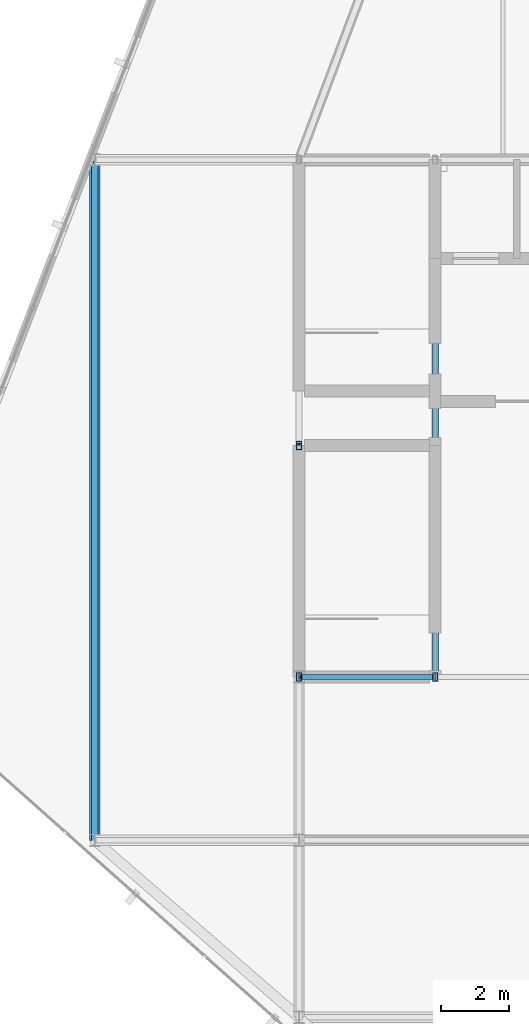
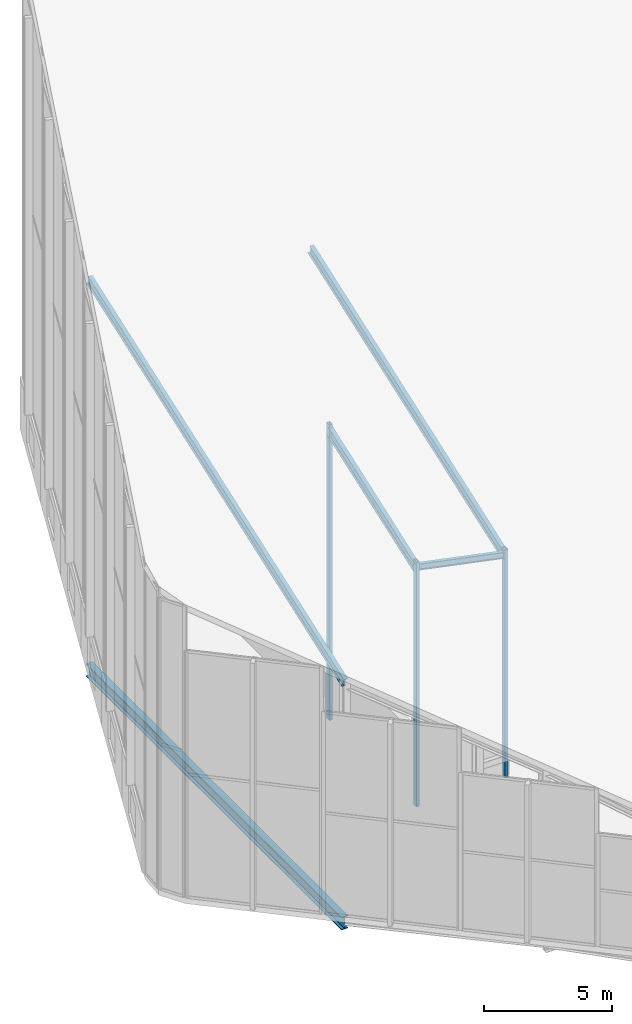
# One storey, part 14 of 74: 7 members, 1 beam.
"""IFC4 building model written with IfcOpenShell, lengths in metres."""

from ifc_helpers import new_model, si_unit, direction, frame, origin, origin_2d, place, context, subcontext, project, spatial, hollow_rectangle, i_section, extrude, material, material_profile, profile_set, type_object, element, save


model = new_model("IFC4")

# Units and contexts
model_context = context("Model", 3, precision=1e-05, world=origin(), true_north=direction((0.0, 1.0)))
body_context = subcontext(model_context, "Body", "Model", "MODEL_VIEW")
ifc_project = project(units=[si_unit("LENGTHUNIT", "METRE"), si_unit("AREAUNIT", "SQUARE_METRE"), si_unit("VOLUMEUNIT", "CUBIC_METRE"), si_unit("PLANEANGLEUNIT", "RADIAN"), si_unit("MASSUNIT", "GRAM", prefix="KILO")], contexts=[model_context])

# Site, building, storey
site_placement = place(None, origin())
site = spatial("IfcSite", under=ifc_project, at=site_placement, CompositionType="ELEMENT")
building_placement = place(site_placement, origin())
building = spatial("IfcBuilding", under=site, at=building_placement, Name="Keshet Zoharim Tower", CompositionType="ELEMENT")
storey_placement = place(building_placement, frame((0.0, 0.0, 320.0)))
storey = spatial("IfcBuildingStorey", under=building, at=storey_placement, Name="RF", CompositionType="ELEMENT", Elevation=320.0)

# Beam
ifc_material = material(Name="Steel S355", Category="steel")
ifc_material_profile_1 = material_profile(ifc_material, i_section(OverallWidth=0.300048828125, OverallDepth=0.60009765625, WebThickness=0.015380859375, FlangeThickness=0.030029296875, FilletRadius=0.027099609375, at=origin_2d()), Name="HEB600")
ifc_profile_set_1 = profile_set([ifc_material_profile_1], Name="Steel S355")
beam_type = type_object("IfcBeamType", Name="BM-LNG-HB600", PredefinedType="BEAM", material=ifc_profile_set_1)
beam_placement = place(storey_placement, frame((9.0, 17.89990234375, -0.610107421875), z_axis=(0.0, 1.0, 0.0), x_axis=(-1.0, 0.0, 0.0)))
element("IfcBeam", 1, at=beam_placement, inside=storey, type_object=beam_type, Name="RF Primary Girder Y-001", PredefinedType="BEAM", context=body_context, shape_type="SweptSolid", body=[
    extrude(i_section(OverallWidth=0.300048828125, OverallDepth=0.60009765625, WebThickness=0.015380859375, FlangeThickness=0.030029296875, FilletRadius=0.027099609375, at=origin_2d()), origin(), (0.0, 0.0, 1.0), 20.0),
])

# Members
ifc_material_profile_2 = material_profile(ifc_material, hollow_rectangle(XDim=0.14990234375, YDim=0.25, WallThickness=0.010009765625, InnerFilletRadius=0.010009765625, OuterFilletRadius=0.014892578125, at=origin_2d()), Name="RHS250x150x10")
ifc_profile_set_2 = profile_set([ifc_material_profile_2], Name="Steel S355")
member_type_1 = type_object("IfcMemberType", Name="MB-PST-R250", PredefinedType="POST", material=ifc_profile_set_2)
member_1_placement = place(storey_placement, frame((15.0, 22.699951171875, 0.0), z_axis=(0.0, 0.0, 1.0), x_axis=(1.0, 0.0, 0.0)))
element("IfcMember", 2, at=member_1_placement, inside=storey, type_object=member_type_1, Name="Crown Core Bearing Post 01", PredefinedType="POST", context=body_context, shape_type="SweptSolid", body=[
    extrude(hollow_rectangle(XDim=0.14990234375, YDim=0.25, WallThickness=0.010009765625, InnerFilletRadius=0.010009765625, OuterFilletRadius=0.014892578125, at=origin_2d()), origin(), (0.0, 0.0, 1.0), 11.685791015625),
])
member_2_placement = place(storey_placement, frame((15.0, 29.5, 0.0), z_axis=(0.0, 0.0, 1.0), x_axis=(1.0, 0.0, 0.0)))
element("IfcMember", 3, at=member_2_placement, inside=storey, type_object=member_type_1, Name="Crown Core Bearing Post 02", PredefinedType="POST", context=body_context, shape_type="SweptSolid", body=[
    extrude(hollow_rectangle(XDim=0.14990234375, YDim=0.25, WallThickness=0.010009765625, InnerFilletRadius=0.010009765625, OuterFilletRadius=0.014892578125, at=origin_2d()), origin(), (0.0, 0.0, 1.0), 14.110107421875),
])
member_3_placement = place(storey_placement, frame((19.0, 22.699951171875, 0.0), z_axis=(0.0, 0.0, 1.0), x_axis=(1.0, 0.0, 0.0)))
element("IfcMember", 4, at=member_3_placement, inside=storey, type_object=member_type_1, Name="Crown Core Bearing Post 04", PredefinedType="POST", context=body_context, shape_type="SweptSolid", body=[
    extrude(hollow_rectangle(XDim=0.14990234375, YDim=0.25, WallThickness=0.010009765625, InnerFilletRadius=0.010009765625, OuterFilletRadius=0.014892578125, at=origin_2d()), origin(), (0.0, 0.0, 1.0), 10.869873046875),
])
ifc_material_profile_3 = material_profile(ifc_material, i_section(OverallWidth=0.14990234375, OverallDepth=0.300048828125, WebThickness=0.007080078125, FlangeThickness=0.0107421875, FilletRadius=0.014892578125, at=origin_2d()), Name="IPE300")
ifc_profile_set_3 = profile_set([ifc_material_profile_3], Name="Steel S355")
member_type_2 = type_object("IfcMemberType", Name="MB-PUR-IP300", PredefinedType="PURLIN", material=ifc_profile_set_3)
member_4_placement = place(storey_placement, frame((15.0, 22.699951171875, 11.3857421875), z_axis=(0.979823661837, 0.0, -0.199863932975), x_axis=(0.0, 1.0, 0.0)))
element("IfcMember", 5, at=member_4_placement, inside=storey, type_object=member_type_2, Name="Crown Roof Purlin 04", PredefinedType="PURLIN", context=body_context, shape_type="SweptSolid", body=[
    extrude(i_section(OverallWidth=0.14990234375, OverallDepth=0.300048828125, WebThickness=0.007080078125, FlangeThickness=0.0107421875, FilletRadius=0.014892578125, at=origin_2d()), origin(), (0.0, 0.0, 1.0), 4.082275390625),
])
ifc_material_profile_4 = material_profile(ifc_material, i_section(OverallWidth=0.18994140625, OverallDepth=0.449951171875, WebThickness=0.009521484375, FlangeThickness=0.0146484375, FilletRadius=0.02099609375, at=origin_2d()), Name="IPE450")
ifc_profile_set_4 = profile_set([ifc_material_profile_4], Name="Steel S355")
member_type_3 = type_object("IfcMemberType", Name="MB-RAF-IP450", PredefinedType="RAFTER", material=ifc_profile_set_4)
member_5_placement = place(storey_placement, frame((9.0, 17.89990234375, 10.85791015625), z_axis=(0.0, 0.941917115306, 0.335845422619), x_axis=(-1.0, 0.0, 0.0)))
element("IfcMember", 6, at=member_5_placement, inside=storey, type_object=member_type_3, Name="Crown Raking Rafter 01", PredefinedType="RAFTER", context=body_context, shape_type="SweptSolid", body=[
    extrude(i_section(OverallWidth=0.18994140625, OverallDepth=0.449951171875, WebThickness=0.009521484375, FlangeThickness=0.0146484375, FilletRadius=0.02099609375, at=origin_2d()), origin(), (0.0, 0.0, 1.0), 21.2333984375),
])
member_6_placement = place(storey_placement, frame((15.0, 22.699951171875, 11.345703125), z_axis=(0.0, 0.941918520033, 0.335841482873), x_axis=(-1.0, 0.0, 0.0)))
element("IfcMember", 7, at=member_6_placement, inside=storey, type_object=member_type_3, Name="Crown Raking Rafter 04", PredefinedType="RAFTER", context=body_context, shape_type="SweptSolid", body=[
    extrude(i_section(OverallWidth=0.18994140625, OverallDepth=0.449951171875, WebThickness=0.009521484375, FlangeThickness=0.0146484375, FilletRadius=0.02099609375, at=origin_2d()), origin(), (0.0, 0.0, 1.0), 7.21923828125),
])
member_7_placement = place(storey_placement, frame((19.0, 22.699951171875, 10.52978515625), z_axis=(0.0, 0.941916008273, 0.335848527404), x_axis=(-1.0, 0.0, 0.0)))
element("IfcMember", 8, at=member_7_placement, inside=storey, type_object=member_type_3, Name="Crown Raking Rafter 06", PredefinedType="RAFTER", context=body_context, shape_type="SweptSolid", body=[
    extrude(i_section(OverallWidth=0.18994140625, OverallDepth=0.449951171875, WebThickness=0.009521484375, FlangeThickness=0.0146484375, FilletRadius=0.02099609375, at=origin_2d()), origin(), (0.0, 0.0, 1.0), 16.13720703125),
])

save(model, "model.ifc")
